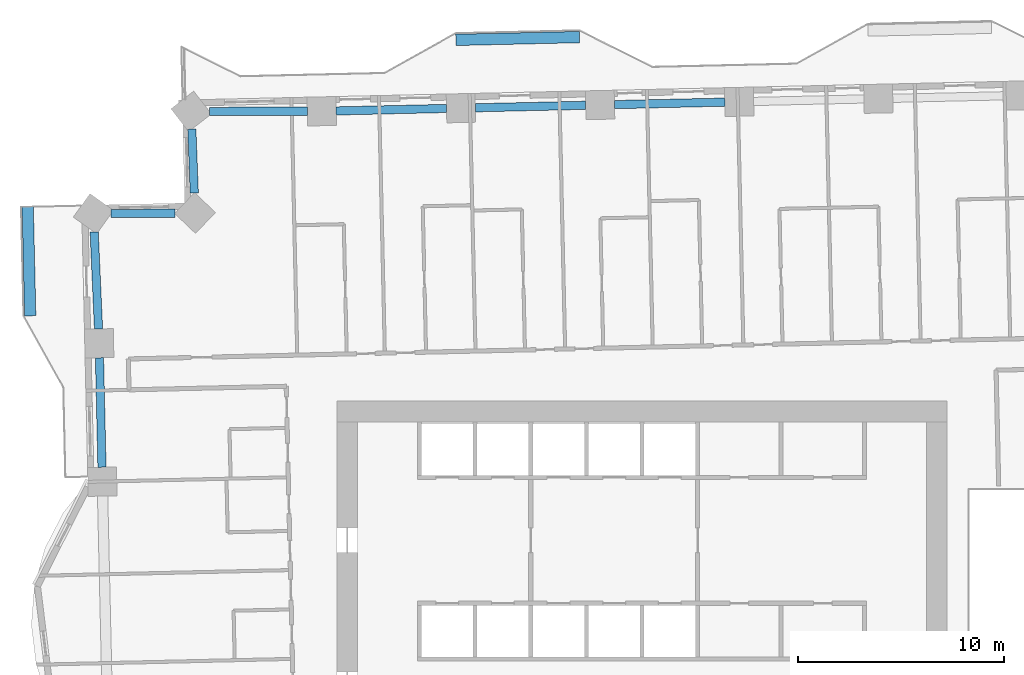
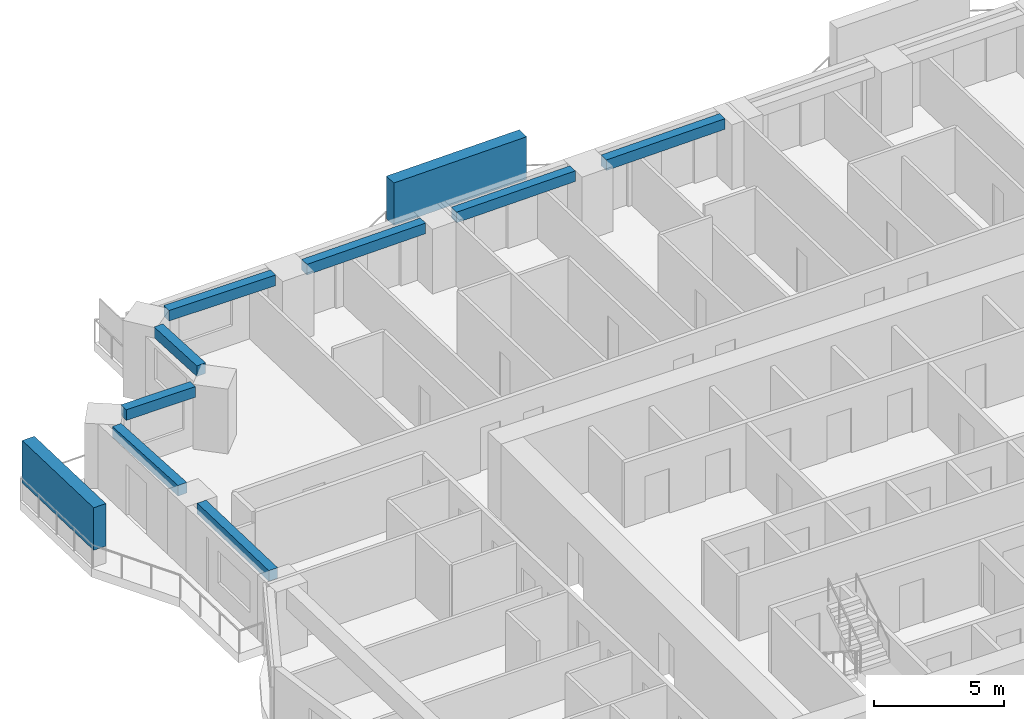
# One storey, part 3 of 17: 8 beams, 2 members.
"""IFC4 building model written with IfcOpenShell, lengths in metres."""

from ifc_helpers import new_model, si_unit, direction, frame, origin, origin_2d, place, context, subcontext, project, spatial, rectangle, extrude, material, material_profile, profile_set, type_object, element, save


model = new_model("IFC4")

# Units and contexts
model_context = context("Model", 3, precision=1e-05, world=origin(), true_north=direction((0.0, 1.0)))
body_context = subcontext(model_context, "Body", "Model", "MODEL_VIEW")
ifc_project = project(units=[si_unit("LENGTHUNIT", "METRE"), si_unit("AREAUNIT", "SQUARE_METRE"), si_unit("VOLUMEUNIT", "CUBIC_METRE"), si_unit("PLANEANGLEUNIT", "RADIAN"), si_unit("MASSUNIT", "GRAM", prefix="KILO")], contexts=[model_context])

# Site, building, storey
site_placement = place(None, origin())
site = spatial("IfcSite", under=ifc_project, at=site_placement, CompositionType="ELEMENT")
building_placement = place(site_placement, origin())
building = spatial("IfcBuilding", under=site, at=building_placement, Name="Mangrove Gate Tower", CompositionType="ELEMENT")
storey_placement = place(building_placement, frame((0.0, 0.0, 93.699951171875)))
storey = spatial("IfcBuildingStorey", under=building, at=storey_placement, Name="L23", CompositionType="ELEMENT", Elevation=93.699951171875)

# Members
ifc_material_1 = material(Name="Planting on aluminium trellis", Category="aluminium")
ifc_material_profile_1 = material_profile(ifc_material_1, rectangle(XDim=0.550048828125, YDim=2.0, at=origin_2d()))
ifc_profile_set_1 = profile_set([ifc_material_profile_1], Name="Planting on aluminium trellis")
member_type = type_object("IfcMemberType", Name="Balcony greenery screen 550x2000", PredefinedType="USERDEFINED", material=ifc_profile_set_1)
member_1_placement = place(storey_placement, frame((-9.031005859375, 29.3310546875, 1.800048828125), z_axis=(0.999743094499, 0.022665943652, 0.0), x_axis=(-0.022665943652, 0.999743094499, 0.0)))
element("IfcMember", 1, at=member_1_placement, inside=storey, type_object=member_type, Name="GREEN SCREEN L23 N1.1", ObjectType="PLANTING", PredefinedType="USERDEFINED", context=body_context, shape_type="SweptSolid", body=[
    extrude(rectangle(XDim=0.550048828125, YDim=2.0, at=origin_2d()), origin(), (0.0, 0.0, 1.0), 5.99951171875),
])
member_2_placement = place(storey_placement, frame((-29.68310546875, 15.944091796875, 1.800048828125), z_axis=(-0.022805127419, 0.999739929263, 0.0), x_axis=(-0.999739929263, -0.022805127419, 0.0)))
element("IfcMember", 2, at=member_2_placement, inside=storey, type_object=member_type, Name="GREEN SCREEN L23 W0.1", ObjectType="PLANTING", PredefinedType="USERDEFINED", context=body_context, shape_type="SweptSolid", body=[
    extrude(rectangle(XDim=0.550048828125, YDim=2.0, at=origin_2d()), origin(), (0.0, 0.0, 1.0), 5.29931640625),
])

# Beams
ifc_material_2 = material(Name="Concrete C50/60", Category="concrete")
ifc_material_profile_2 = material_profile(ifc_material_2, rectangle(XDim=0.39990234375, YDim=0.5, at=origin_2d()))
ifc_profile_set_2 = profile_set([ifc_material_profile_2], Name="Concrete C50/60")
beam_type = type_object("IfcBeamType", Name="Edge beam RC 400x500 C50/60", PredefinedType="BEAM", material=ifc_profile_set_2)
beam_1_placement = place(storey_placement, frame((4.01806640625, 26.311279296875, 2.800048828125), z_axis=(-0.999743128778, -0.022664431647, 0.0), x_axis=(0.022664431647, -0.999743128778, 0.0)))
element("IfcBeam", 3, at=beam_1_placement, inside=storey, type_object=beam_type, Name="Edge beam L23 23", PredefinedType="BEAM", context=body_context, shape_type="SweptSolid", body=[
    extrude(rectangle(XDim=0.39990234375, YDim=0.5, at=origin_2d()), origin(), (0.0, 0.0, 1.0), 5.353759765625),
])
beam_2_placement = place(storey_placement, frame((-2.73388671875, 26.158203125, 2.800048828125), z_axis=(-0.999739924711, -0.022805326993, 0.0), x_axis=(0.022805326993, -0.999739924711, 0.0)))
element("IfcBeam", 4, at=beam_2_placement, inside=storey, type_object=beam_type, Name="Edge beam L23 24", PredefinedType="BEAM", context=body_context, shape_type="SweptSolid", body=[
    extrude(rectangle(XDim=0.39990234375, YDim=0.5, at=origin_2d()), origin(), (0.0, 0.0, 1.0), 5.352783203125),
])
beam_3_placement = place(storey_placement, frame((-9.48486328125, 26.00439453125, 2.800048828125), z_axis=(-0.999743152201, -0.022663398406, 0.0), x_axis=(0.022663398406, -0.999743152201, 0.0)))
element("IfcBeam", 5, at=beam_3_placement, inside=storey, type_object=beam_type, Name="Edge beam L23 25", PredefinedType="BEAM", context=body_context, shape_type="SweptSolid", body=[
    extrude(rectangle(XDim=0.39990234375, YDim=0.5, at=origin_2d()), origin(), (0.0, 0.0, 1.0), 5.35400390625),
])
beam_4_placement = place(storey_placement, frame((-16.2373046875, 25.866455078125, 2.800048828125), z_axis=(-0.999999523555, -0.000976160653, 0.0), x_axis=(0.000976160653, -0.999999523555, 0.0)))
element("IfcBeam", 6, at=beam_4_placement, inside=storey, type_object=beam_type, Name="Edge beam L23 26", PredefinedType="BEAM", context=body_context, shape_type="SweptSolid", body=[
    extrude(rectangle(XDim=0.39990234375, YDim=0.5, at=origin_2d()), origin(), (0.0, 0.0, 1.0), 4.751953125),
])
beam_5_placement = place(storey_placement, frame((-21.841552734375, 25.000732421875, 2.800048828125), z_axis=(0.038460362943, -0.999260126535, 0.0), x_axis=(0.999260126535, 0.038460362943, 0.0)))
element("IfcBeam", 7, at=beam_5_placement, inside=storey, type_object=beam_type, Name="Edge beam L23 27", PredefinedType="BEAM", context=body_context, shape_type="SweptSolid", body=[
    extrude(rectangle(XDim=0.39990234375, YDim=0.5, at=origin_2d()), origin(), (0.0, 0.0, 1.0), 3.09765625),
])
beam_6_placement = place(storey_placement, frame((-22.65966796875, 20.924560546875, 2.800048828125), z_axis=(-0.999975368239, -0.007018754556, 0.0), x_axis=(0.007018754556, -0.999975368239, 0.0)))
element("IfcBeam", 8, at=beam_6_placement, inside=storey, type_object=beam_type, Name="Edge beam L23 28", PredefinedType="BEAM", context=body_context, shape_type="SweptSolid", body=[
    extrude(rectangle(XDim=0.39990234375, YDim=0.5, at=origin_2d()), origin(), (0.0, 0.0, 1.0), 3.095703125),
])
beam_7_placement = place(storey_placement, frame((-26.57861328125, 20.010009765625, 2.800048828125), z_axis=(0.044645566694, -0.999002889573, 0.0), x_axis=(0.999002889573, 0.044645566694, 0.0)))
element("IfcBeam", 9, at=beam_7_placement, inside=storey, type_object=beam_type, Name="Edge beam L23 29", PredefinedType="BEAM", context=body_context, shape_type="SweptSolid", body=[
    extrude(rectangle(XDim=0.39990234375, YDim=0.5, at=origin_2d()), origin(), (0.0, 0.0, 1.0), 4.708251953125),
])
beam_8_placement = place(storey_placement, frame((-26.3212890625, 13.906982421875, 2.800048828125), z_axis=(0.022659804799, -0.999743233659, 0.0), x_axis=(0.999743233659, 0.022659804799, 0.0)))
element("IfcBeam", 10, at=beam_8_placement, inside=storey, type_object=beam_type, Name="Edge beam L23 30", PredefinedType="BEAM", context=body_context, shape_type="SweptSolid", body=[
    extrude(rectangle(XDim=0.39990234375, YDim=0.5, at=origin_2d()), origin(), (0.0, 0.0, 1.0), 5.311767578125),
])

save(model, "model.ifc")
